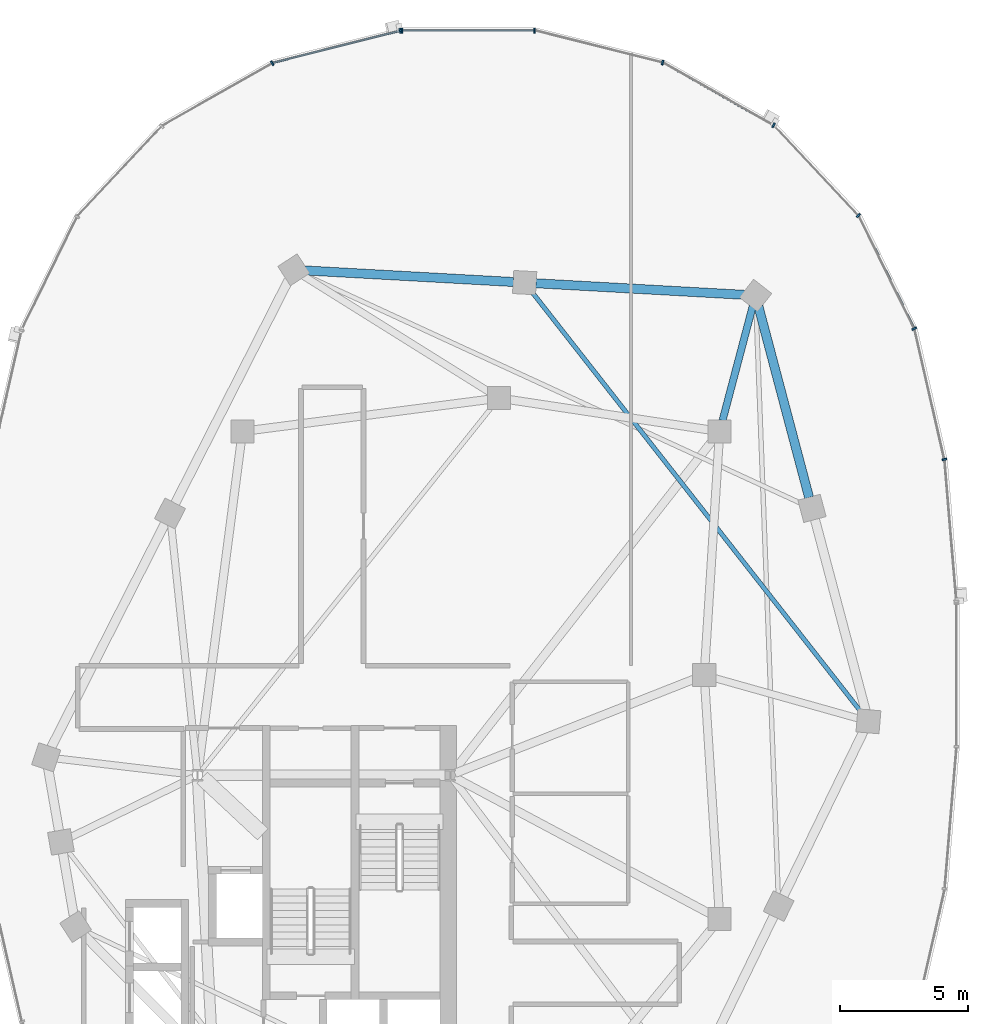
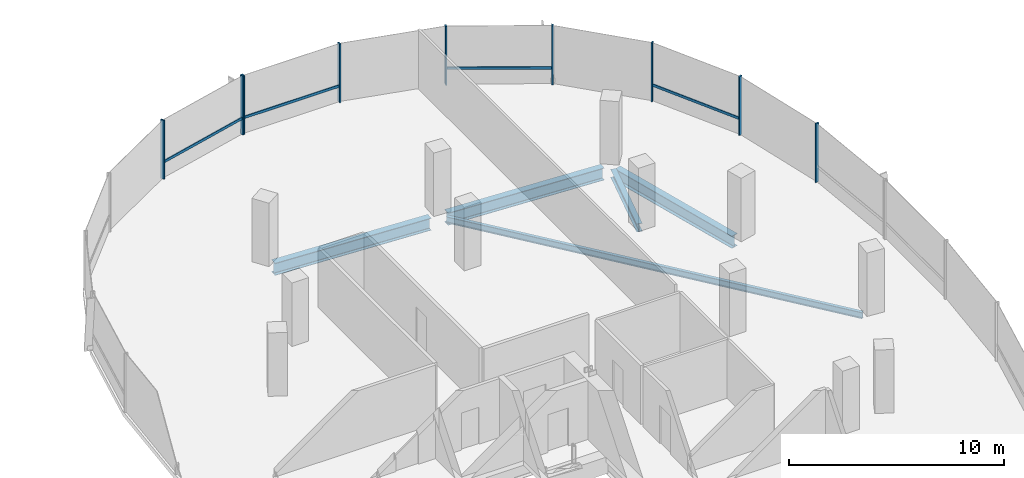
# One storey, part 12 of 24: 13 members, 5 beams, 2 elements without a shape of their own.
"""IFC4 building model written with IfcOpenShell, lengths in metres."""

from ifc_helpers import new_model, si_unit, direction, frame, origin, origin_2d, place, context, subcontext, project, spatial, rectangle, i_section, extrude, material, material_profile, profile_set, type_object, element, aggregate, save


model = new_model("IFC4")

# Units and contexts
model_context = context("Model", 3, precision=1e-05, world=origin(), true_north=direction((0.0, 1.0)))
body_context = subcontext(model_context, "Body", "Model", "MODEL_VIEW")
ifc_project = project(units=[si_unit("LENGTHUNIT", "METRE"), si_unit("AREAUNIT", "SQUARE_METRE"), si_unit("VOLUMEUNIT", "CUBIC_METRE"), si_unit("PLANEANGLEUNIT", "RADIAN"), si_unit("MASSUNIT", "GRAM", prefix="KILO"), si_unit("THERMODYNAMICTEMPERATUREUNIT", "KELVIN"), si_unit("POWERUNIT", "WATT")], contexts=[model_context])

# Site, building, storey
site_placement = place(None, origin())
site = spatial("IfcSite", under=ifc_project, at=site_placement, CompositionType="ELEMENT")
building_placement = place(site_placement, origin())
building = spatial("IfcBuilding", under=site, at=building_placement, Name="Cundina Bronze Exchange", CompositionType="ELEMENT")
storey_placement = place(building_placement, frame((0.0, 0.0, 227.800048828125)))
storey = spatial("IfcBuildingStorey", under=building, at=storey_placement, Name="L60", CompositionType="ELEMENT", Elevation=227.800048828125)

# Beams
ifc_material_1 = material(Name="Steel ASTM A992 Grade 50", Category="steel")
ifc_material_profile_1 = material_profile(ifc_material_1, i_section(OverallWidth=0.280029296875, OverallDepth=0.462890625, WebThickness=0.0107421875, FlangeThickness=0.017333984375, FilletRadius=0.011962890625, at=origin_2d()), Name="W18X76", Category="steel")
ifc_profile_set_1 = profile_set([ifc_material_profile_1], Name="Steel ASTM A992 Grade 50")
beam_type_1 = type_object("IfcBeamType", Name="BM-FLR-W18A", PredefinedType="BEAM", material=ifc_profile_set_1)
beam_1_placement = place(storey_placement, frame((41.911865234375, 9.923583984375, -0.491455078125), z_axis=(0.255398602339, 0.96683584642, 0.0), x_axis=(-0.96683584642, 0.255398602339, 0.0)))
element("IfcBeam", 1, at=beam_1_placement, inside=storey, type_object=beam_type_1, Name="L60 Leg E Chordal Floor Beam 10", PredefinedType="BEAM", context=body_context, shape_type="SweptSolid", body=[
    extrude(i_section(OverallWidth=0.280029296875, OverallDepth=0.462890625, WebThickness=0.0107421875, FlangeThickness=0.017333984375, FilletRadius=0.011962890625, at=origin_2d()), origin(), (0.0, 0.0, 1.0), 4.605712890625),
])
ifc_material_profile_2 = material_profile(ifc_material_1, i_section(OverallWidth=0.172119140625, OverallDepth=0.35791015625, WebThickness=0.0078125, FlangeThickness=0.01318359375, FilletRadius=0.010009765625, at=origin_2d()), Name="W14X38", Category="steel")
ifc_profile_set_2 = profile_set([ifc_material_profile_2], Name="Steel ASTM A992 Grade 50")
beam_type_2 = type_object("IfcBeamType", Name="BM-JST-W14", PredefinedType="JOIST", material=ifc_profile_set_2)
beam_2_placement = place(storey_placement, frame((47.329833984375, -1.455078125, -0.43896484375), z_axis=(-0.616810493522, 0.787111691618, 0.0), x_axis=(-0.787111691618, -0.616810493522, 0.0)))
element("IfcBeam", 2, at=beam_2_placement, inside=storey, type_object=beam_type_2, Name="L60 Leg E Lobe Floor Joist 08-11", PredefinedType="JOIST", context=body_context, shape_type="SweptSolid", body=[
    extrude(i_section(OverallWidth=0.172119140625, OverallDepth=0.35791015625, WebThickness=0.0078125, FlangeThickness=0.01318359375, FilletRadius=0.010009765625, at=origin_2d()), origin(), (0.0, 0.0, 1.0), 20.8486328125),
])
ifc_material_profile_3 = material_profile(ifc_material_1, i_section(OverallWidth=0.35498046875, OverallDepth=0.695068359375, WebThickness=0.015380859375, FlangeThickness=0.02490234375, FilletRadius=0.01806640625, at=origin_2d()), Name="W27X146", Category="steel")
ifc_profile_set_3 = profile_set([ifc_material_profile_3], Name="Steel ASTM A992 Grade 50")
beam_type_3 = type_object("IfcBeamType", Name="BM-RING-W27", PredefinedType="USERDEFINED", material=ifc_profile_set_3)
beam_3_placement = place(storey_placement, frame((45.287841796875, 6.92333984375, -0.607666015625), z_axis=(-0.256211934474, 0.966620631185, 0.0), x_axis=(-0.966620631185, -0.256211934474, 0.0)))
element("IfcBeam", 3, at=beam_3_placement, inside=storey, type_object=beam_type_3, Name="L60 E Perimeter Ring Girder 09", ObjectType="GIRDER", PredefinedType="USERDEFINED", context=body_context, shape_type="SweptSolid", body=[
    extrude(i_section(OverallWidth=0.35498046875, OverallDepth=0.695068359375, WebThickness=0.015380859375, FlangeThickness=0.02490234375, FilletRadius=0.01806640625, at=origin_2d()), origin(), (0.0, 0.0, 1.0), 7.710693359375),
])
for number, where, z_axis, x_axis, name in (
    (4, (42.7626953125, 14.82421875, -0.607666015625), (-0.998460353205, 0.055470019623, 0.0), (-0.055470019623, -0.998460353205, 0.0), "L60 E Perimeter Ring Girder 10"),
    (5, (33.7626953125, 15.32421875, -0.607666015625), (-0.998460353205, 0.055470019623, 0.0), (-0.055470019623, -0.998460353205, 0.0), "L60 E Perimeter Ring Girder 11"),
):
    element("IfcBeam", number, at=place(storey_placement, frame(where, z_axis=z_axis, x_axis=x_axis)), inside=storey, type_object=beam_type_3, Name=name, ObjectType="GIRDER", PredefinedType="USERDEFINED", context=body_context, shape_type="SweptSolid", body=[
        extrude(i_section(OverallWidth=0.35498046875, OverallDepth=0.695068359375, WebThickness=0.015380859375, FlangeThickness=0.02490234375, FilletRadius=0.01806640625, at=origin_2d()), origin(), (0.0, 0.0, 1.0), 8.137939453125),
    ])

# Curtain wall, members
ifc_material_2 = material(Name="Anodised Bronze Aluminium 6063-T6", Category="aluminium")
curtain_wall_type = type_object("IfcCurtainWallType", Name="CWS-UPP-OFF", PredefinedType="NOTDEFINED", material=ifc_material_2)
curtain_wall_1_placement = place(storey_placement, origin())
curtain_wall_1 = element("IfcCurtainWall", 6, at=curtain_wall_1_placement, inside=storey, type_object=curtain_wall_type, Name="L60 CW-05 Curtain Wall Run CWR-L60-E1", PredefinedType="NOTDEFINED")
ifc_material_profile_4 = material_profile(ifc_material_2, rectangle(XDim=0.070068359375, YDim=0.18994140625, at=origin_2d()), Name="AL70X190", Category="aluminium")
ifc_profile_set_4 = profile_set([ifc_material_profile_4], Name="Anodised Bronze Aluminium 6063-T6")
member_type_1 = type_object("IfcMemberType", Name="CWM-MUL-190", PredefinedType="MULLION", material=ifc_profile_set_4)
member_1_placement = place(storey_placement, frame((50.56005859375, 8.4111328125, 0.0), z_axis=(0.0, 0.0, 1.0), x_axis=(-0.223250116011, 0.974761194191, 0.0)))
member_1 = element("IfcMember", 7, at=member_1_placement, type_object=member_type_1, Name="CW-05 Mullion 2", PredefinedType="MULLION", context=body_context, shape_type="SweptSolid", body=[
    extrude(rectangle(XDim=0.070068359375, YDim=0.18994140625, at=origin_2d()), origin(), (0.0, 0.0, 1.0), 3.33984375),
])
member_2_placement = place(storey_placement, frame((49.38427734375, 13.50732421875, 0.0), z_axis=(0.0, 0.0, 1.0), x_axis=(-0.440566004113, 0.897720221461, 0.0)))
member_2 = element("IfcMember", 8, at=member_2_placement, type_object=member_type_1, Name="CW-05 Mullion 3", PredefinedType="MULLION", context=body_context, shape_type="SweptSolid", body=[
    extrude(rectangle(XDim=0.070068359375, YDim=0.18994140625, at=origin_2d()), origin(), (0.0, 0.0, 1.0), 3.33984375),
])
member_3_placement = place(storey_placement, frame((47.209716796875, 17.91796875, 0.0), z_axis=(0.0, 0.0, 1.0), x_axis=(-0.684292606175, 0.729207535023, 0.0)))
member_3 = element("IfcMember", 9, at=member_3_placement, type_object=member_type_1, Name="CW-05 Mullion 4", PredefinedType="MULLION", context=body_context, shape_type="SweptSolid", body=[
    extrude(rectangle(XDim=0.070068359375, YDim=0.18994140625, at=origin_2d()), origin(), (0.0, 0.0, 1.0), 3.33984375),
])
member_4_placement = place(storey_placement, frame((43.899658203125, 21.43115234375, 0.0), z_axis=(0.0, 0.0, 1.0), x_axis=(-0.86958112538, 0.493790103568, 0.0)))
member_4 = element("IfcMember", 10, at=member_4_placement, type_object=member_type_1, Name="CW-05 Mullion 5", PredefinedType="MULLION", context=body_context, shape_type="SweptSolid", body=[
    extrude(rectangle(XDim=0.070068359375, YDim=0.18994140625, at=origin_2d()), origin(), (0.0, 0.0, 1.0), 3.33984375),
])
member_5_placement = place(storey_placement, frame((39.577392578125, 23.87548828125, 0.0), z_axis=(0.0, 0.0, 1.0), x_axis=(-0.969744325821, 0.244122802168, 0.0)))
member_5 = element("IfcMember", 11, at=member_5_placement, type_object=member_type_1, Name="CW-05 Mullion 6", PredefinedType="MULLION", context=body_context, shape_type="SweptSolid", body=[
    extrude(rectangle(XDim=0.070068359375, YDim=0.18994140625, at=origin_2d()), origin(), (0.0, 0.0, 1.0), 3.33984375),
])
member_6_placement = place(storey_placement, frame((34.580078125, 25.125, 0.0), z_axis=(0.0, 0.0, 1.0), x_axis=(-1.0, 0.0, 0.0)))
member_6 = element("IfcMember", 12, at=member_6_placement, type_object=member_type_1, Name="CW-05 Mullion 7", PredefinedType="MULLION", context=body_context, shape_type="SweptSolid", body=[
    extrude(rectangle(XDim=0.070068359375, YDim=0.18994140625, at=origin_2d()), origin(), (0.0, 0.0, 1.0), 3.33984375),
])
member_7_placement = place(storey_placement, frame((29.419921875, 25.125, 0.0), z_axis=(0.0, 0.0, 1.0), x_axis=(-1.0, 0.0, 0.0)))
member_7 = element("IfcMember", 13, at=member_7_placement, type_object=member_type_1, Name="CW-05 End Mullion", PredefinedType="MULLION", context=body_context, shape_type="SweptSolid", body=[
    extrude(rectangle(XDim=0.070068359375, YDim=0.18994140625, at=origin_2d()), origin(), (0.0, 0.0, 1.0), 3.33984375),
])

curtain_wall_2_placement = place(storey_placement, origin())
curtain_wall_2 = element("IfcCurtainWall", 14, at=curtain_wall_2_placement, inside=storey, type_object=curtain_wall_type, Name="L60 CW-05 Curtain Wall Run CWR-L60-E2", PredefinedType="NOTDEFINED")
member_8_placement = place(storey_placement, frame((29.3515625, 25.116455078125, 0.0), z_axis=(0.0, 0.0, 1.0), x_axis=(-0.969744325821, -0.244122802168, 0.0)))
member_8 = element("IfcMember", 15, at=member_8_placement, type_object=member_type_1, Name="CW-05 Mullion 1", PredefinedType="MULLION", context=body_context, shape_type="SweptSolid", body=[
    extrude(rectangle(XDim=0.070068359375, YDim=0.18994140625, at=origin_2d()), origin(), (0.0, 0.0, 1.0), 3.33984375),
])
member_9_placement = place(storey_placement, frame((24.361083984375, 23.850830078125, 0.0), z_axis=(0.0, 0.0, 1.0), x_axis=(-0.86958112538, -0.493790103568, 0.0)))
member_9 = element("IfcMember", 16, at=member_9_placement, type_object=member_type_1, Name="CW-05 Mullion 2", PredefinedType="MULLION", context=body_context, shape_type="SweptSolid", body=[
    extrude(rectangle(XDim=0.070068359375, YDim=0.18994140625, at=origin_2d()), origin(), (0.0, 0.0, 1.0), 3.33984375),
])

# Member
ifc_material_profile_5 = material_profile(ifc_material_2, rectangle(XDim=0.06494140625, YDim=0.14990234375, at=origin_2d()), Name="AL65X150", Category="aluminium")
ifc_profile_set_5 = profile_set([ifc_material_profile_5], Name="Anodised Bronze Aluminium 6063-T6")
member_type_2 = type_object("IfcMemberType", Name="CWM-TRN-150", PredefinedType="USERDEFINED", material=ifc_profile_set_5)
member_10_placement = place(storey_placement, frame((49.3671875, 13.5419921875, 0.919921875), z_axis=(-0.440483110889, 0.897760897467, 0.0), x_axis=(-0.897760897467, -0.440483110889, 0.0)))
member_10 = element("IfcMember", 17, at=member_10_placement, type_object=member_type_2, Name="CW-05 Spandrel Transom 3", ObjectType="TRANSOM", PredefinedType="USERDEFINED", context=body_context, shape_type="SweptSolid", body=[
    extrude(rectangle(XDim=0.06494140625, YDim=0.14990234375, at=origin_2d()), origin(), (0.0, 0.0, 1.0), 4.855224609375),
])

member_11_placement = place(storey_placement, frame((43.8662109375, 21.4501953125, 0.919921875), z_axis=(-0.869573748083, 0.493803095013, 0.0), x_axis=(-0.493803095013, -0.869573748083, 0.0)))
member_11 = element("IfcMember", 18, at=member_11_placement, type_object=member_type_2, Name="CW-05 Spandrel Transom 5", ObjectType="TRANSOM", PredefinedType="USERDEFINED", context=body_context, shape_type="SweptSolid", body=[
    extrude(rectangle(XDim=0.06494140625, YDim=0.14990234375, at=origin_2d()), origin(), (0.0, 0.0, 1.0), 4.900146484375),
])

member_12_placement = place(storey_placement, frame((34.54150390625, 25.125, 0.919921875), z_axis=(-1.0, 0.0, 0.0), x_axis=(0.0, -1.0, 0.0)))
member_12 = element("IfcMember", 19, at=member_12_placement, type_object=member_type_2, Name="CW-05 Spandrel Transom 7", ObjectType="TRANSOM", PredefinedType="USERDEFINED", context=body_context, shape_type="SweptSolid", body=[
    extrude(rectangle(XDim=0.06494140625, YDim=0.14990234375, at=origin_2d()), origin(), (0.0, 0.0, 1.0), 5.0830078125),
])

aggregate(curtain_wall_1, [member_1, member_2, member_10, member_3, member_4, member_11, member_5, member_6, member_7, member_12])

member_13_placement = place(storey_placement, frame((29.314208984375, 25.107177734375, 0.919921875), z_axis=(-0.969725738797, -0.244196624699, 0.0), x_axis=(0.244196624699, -0.969725738797, 0.0)))
member_13 = element("IfcMember", 20, at=member_13_placement, type_object=member_type_2, Name="CW-05 Spandrel Transom 1", ObjectType="TRANSOM", PredefinedType="USERDEFINED", context=body_context, shape_type="SweptSolid", body=[
    extrude(rectangle(XDim=0.06494140625, YDim=0.14990234375, at=origin_2d()), origin(), (0.0, 0.0, 1.0), 5.082763671875),
])

aggregate(curtain_wall_2, [member_8, member_13, member_9])

save(model, "model.ifc")
